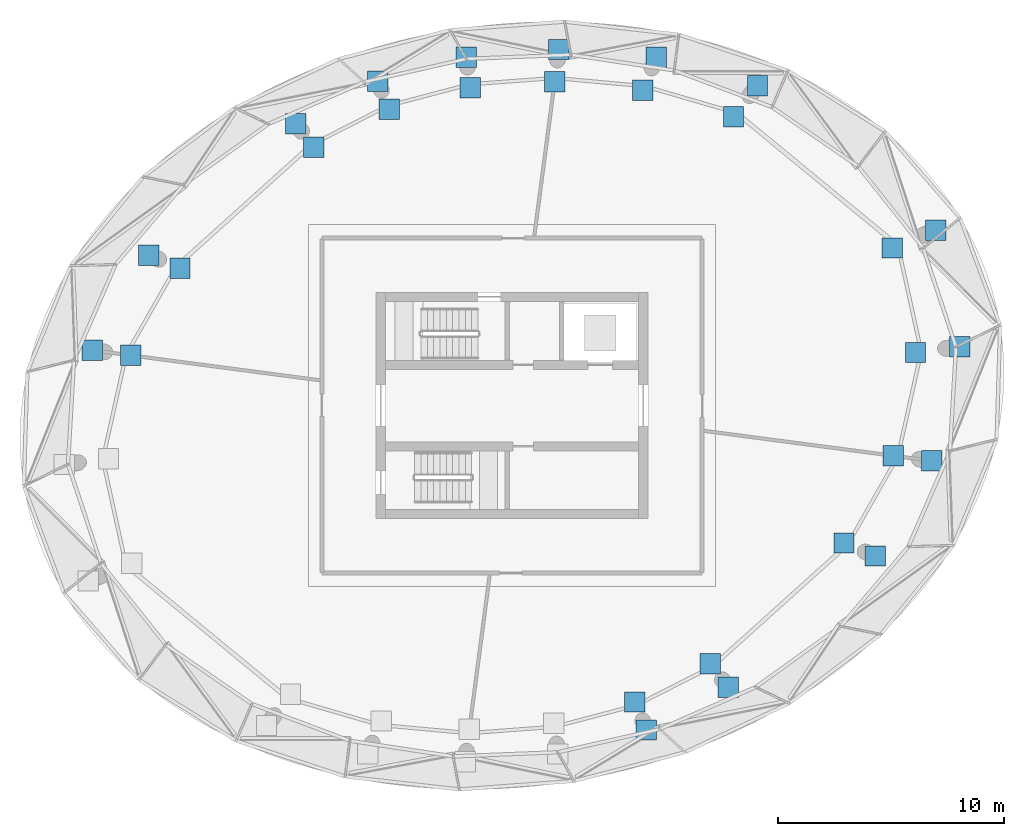
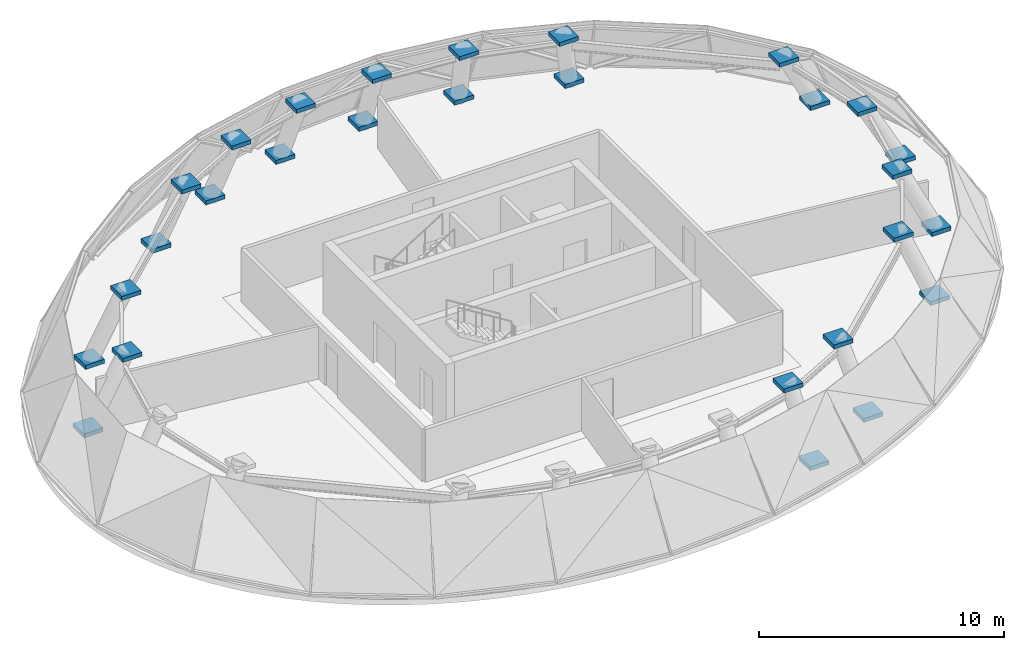
# One storey, part 7 of 9: 28 discrete accessories.
"""IFC4 building model written with IfcOpenShell, lengths in metres."""

from ifc_helpers import new_model, si_unit, direction, frame, origin, origin_2d, place, context, subcontext, project, spatial, rectangle, extrude, source, transform, mapped, material, layer, layer_set, type_object, element, save


model = new_model("IFC4")

# Units and contexts
model_context = context("Model", 3, precision=1e-05, world=origin(), true_north=direction((0.0, 1.0)))
body_context = subcontext(model_context, "Body", "Model", "MODEL_VIEW")
ifc_project = project(units=[si_unit("LENGTHUNIT", "METRE"), si_unit("AREAUNIT", "SQUARE_METRE"), si_unit("VOLUMEUNIT", "CUBIC_METRE"), si_unit("PLANEANGLEUNIT", "RADIAN"), si_unit("MASSUNIT", "GRAM", prefix="KILO")], contexts=[model_context])

# Site, building, storey
site_placement = place(None, origin())
site = spatial("IfcSite", under=ifc_project, at=site_placement, CompositionType="ELEMENT")
building_placement = place(site_placement, origin())
building = spatial("IfcBuilding", under=site, at=building_placement, Name="Spindrift Exchange Tower", CompositionType="ELEMENT")
storey_placement = place(building_placement, frame((0.0, 0.0, 269.60009765625)))
storey = spatial("IfcBuildingStorey", under=building, at=storey_placement, Name="L66", CompositionType="ELEMENT", Elevation=269.60009765625)

# Discrete accessories
ifc_material = material(Name="Steel Grade 350", Category="steel")
ifc_layer = layer(ifc_material, 0.89990234375)
ifc_layer_set = layer_set([ifc_layer], Name="Bearing shoe 900x900x200 Steel Grade 350")
discrete_accessory_type = type_object("IfcDiscreteAccessoryType", Name="Bearing shoe 900x900x200 Steel Grade 350", PredefinedType="USERDEFINED", material=ifc_layer_set)
shared_shape = source(origin(), body_context, "Body", "SweptSolid", [
    extrude(rectangle(XDim=0.89990234375, YDim=0.89990234375, at=origin_2d()), origin(), (0.0, 0.0, 1.0), 0.199951171875),
])
for number, where, z_axis, x_axis, name in (
    (1, (71.77734375, 50.603759765625, 0.17431640625), (0.0, 0.0, 1.0), (1.0, 0.0, 0.0), "L66 bearing shoe 01 foot"),
    (2, (69.828125, 50.34716796875, 3.47412109375), (0.0, 0.0, 1.0), (1.0, 0.0, 0.0), "L66 bearing shoe 01 head"),
    (3, (70.719482421875, 55.75390625, 0.181640625), (0.0, 0.0, 1.0), (1.0, 0.0, 0.0), "L66 bearing shoe 02 foot"),
    (4, (68.801513671875, 54.95947265625, 3.4814453125), (0.0, 0.0, 1.0), (1.0, 0.0, 0.0), "L66 bearing shoe 02 head"),
    (5, (62.846923828125, 62.135986328125, 0.15869140625), (0.0, 0.0, 1.0), (1.0, 0.0, 0.0), "L66 bearing shoe 04 foot"),
    (6, (61.78857421875, 60.756591796875, 3.45849609375), (0.0, 0.0, 1.0), (1.0, 0.0, 0.0), "L66 bearing shoe 04 head"),
    (7, (58.37158203125, 63.382568359375, 0.1455078125), (0.0, 0.0, 1.0), (1.0, 0.0, 0.0), "L66 bearing shoe 05 foot"),
    (8, (57.773193359375, 61.9375, 3.44580078125), (0.0, 0.0, 1.0), (1.0, 0.0, 0.0), "L66 bearing shoe 05 head"),
    (9, (54.071044921875, 63.731201171875, 0.13623046875), (0.0, 0.0, 1.0), (1.0, 0.0, 0.0), "L66 bearing shoe 06 foot"),
    (10, (53.88330078125, 62.30419921875, 3.43603515625), (0.0, 0.0, 1.0), (1.0, 0.0, 0.0), "L66 bearing shoe 06 head"),
    (11, (49.97314453125, 63.39599609375, 0.130859375), (0.0, 0.0, 1.0), (1.0, 0.0, 0.0), "L66 bearing shoe 07 foot"),
    (12, (50.152099609375, 62.0361328125, 3.4306640625), (0.0, 0.0, 1.0), (1.0, 0.0, 0.0), "L66 bearing shoe 07 head"),
    (13, (46.062744140625, 62.333984375, 0.1279296875), (0.0, 0.0, 1.0), (1.0, 0.0, 0.0), "L66 bearing shoe 08 foot"),
    (14, (46.574462890625, 61.098388671875, 3.427734375), (0.0, 0.0, 1.0), (1.0, 0.0, 0.0), "L66 bearing shoe 08 head"),
    (15, (42.4443359375, 60.453369140625, 0.1259765625), (0.0, 0.0, 1.0), (1.0, 0.0, 0.0), "L66 bearing shoe 09 foot"),
    (16, (43.244384765625, 59.410400390625, 3.42578125), (0.0, 0.0, 1.0), (1.0, 0.0, 0.0), "L66 bearing shoe 09 head"),
    (17, (35.948486328125, 54.648681640625, 0.140625), (0.0, 0.0, 1.0), (1.0, 0.0, 0.0), "L66 bearing shoe 11 foot"),
    (18, (37.3330078125, 54.0751953125, 3.44091796875), (0.0, 0.0, 1.0), (1.0, 0.0, 0.0), "L66 bearing shoe 11 head"),
    (19, (33.4599609375, 50.44091796875, 0.1572265625), (0.0, 0.0, 1.0), (1.0, 0.0, 0.0), "L66 bearing shoe 12 foot"),
    (20, (35.161865234375, 50.216796875, 3.45703125), (0.0, 0.0, 1.0), (1.0, 0.0, 0.0), "L66 bearing shoe 12 head"),
    (21, (57.937255859375, 33.666015625, 0.1279296875), (0.0, 0.0, 1.0), (1.0, 0.0, 0.0), "L66 bearing shoe 20 foot"),
    (22, (57.425537109375, 34.901611328125, 3.427734375), (0.0, 0.0, 1.0), (1.0, 0.0, 0.0), "L66 bearing shoe 20 head"),
    (23, (61.5556640625, 35.546630859375, 0.1259765625), (0.0, 0.0, 1.0), (1.0, 0.0, 0.0), "L66 bearing shoe 21 foot"),
    (24, (60.755615234375, 36.589599609375, 3.42578125), (0.0, 0.0, 1.0), (1.0, 0.0, 0.0), "L66 bearing shoe 21 head"),
    (25, (68.051513671875, 41.351318359375, 0.140625), (0.0, 0.0, 1.0), (1.0, 0.0, 0.0), "L66 bearing shoe 23 foot"),
    (26, (66.6669921875, 41.9248046875, 3.44091796875), (0.0, 0.0, 1.0), (1.0, 0.0, 0.0), "L66 bearing shoe 23 head"),
    (27, (70.5400390625, 45.55908203125, 0.1572265625), (0.0, 0.0, 1.0), (1.0, 0.0, 0.0), "L66 bearing shoe 24 foot"),
    (28, (68.838134765625, 45.783203125, 3.45703125), (0.0, 0.0, 1.0), (1.0, 0.0, 0.0), "L66 bearing shoe 24 head"),
):
    element("IfcDiscreteAccessory", number, at=place(storey_placement, frame(where, z_axis=z_axis, x_axis=x_axis)), inside=storey, type_object=discrete_accessory_type, Name=name, ObjectType="Bearing shoe", PredefinedType="USERDEFINED", context=body_context, shape_type="MappedRepresentation", body=[
        mapped(shared_shape, transform((0.0, 0.0, 0.0), scale=1.0)),
    ])

save(model, "model.ifc")
